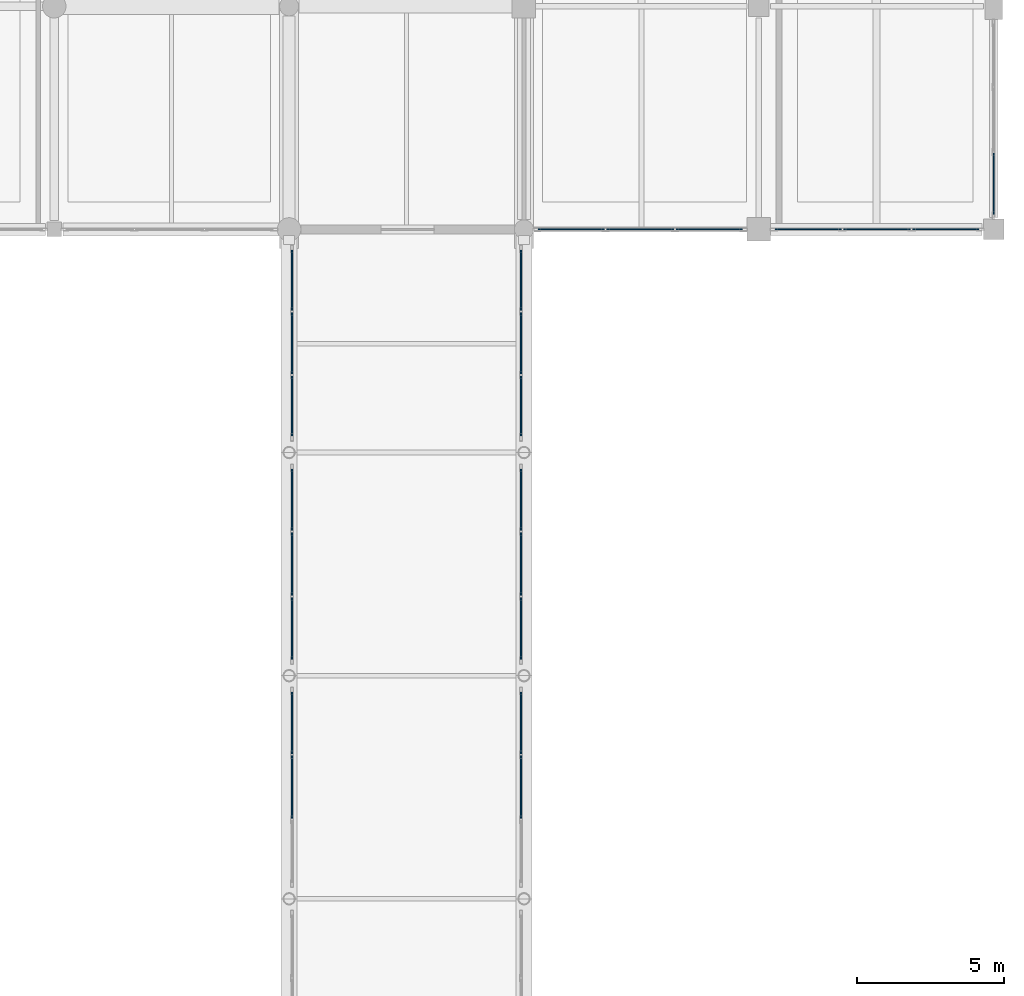
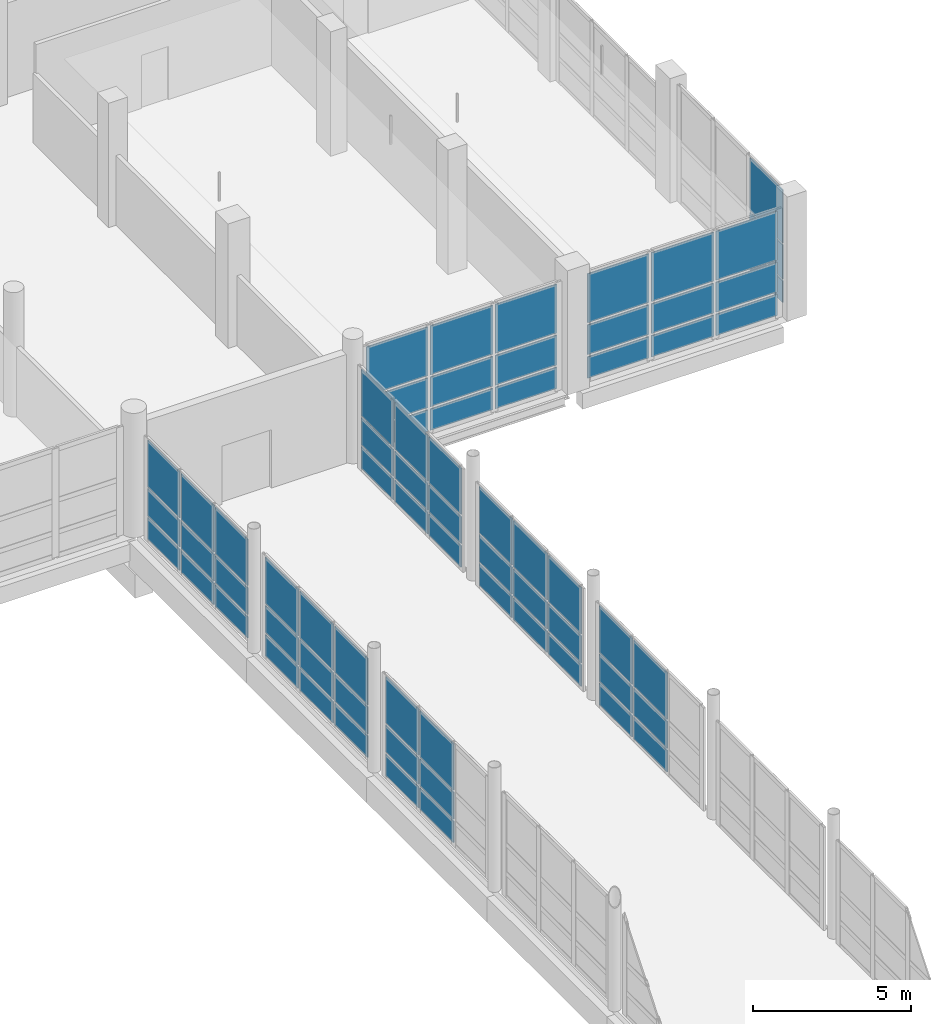
# One storey, part 77 of 147: 69 plates, 9 elements without a shape of their own.
"""IFC4 building model written with IfcOpenShell, lengths in metres."""

from ifc_helpers import new_model, si_unit, direction, frame, origin, origin_2d, place, context, subcontext, project, spatial, rectangle, extrude, material, layer, layer_set, type_object, element, aggregate, save


model = new_model("IFC4")

# Units and contexts
model_context = context("Model", 3, precision=1e-05, world=origin(), true_north=direction((0.0, 1.0)))
body_context = subcontext(model_context, "Body", "Model", "MODEL_VIEW")
ifc_project = project(units=[si_unit("LENGTHUNIT", "METRE"), si_unit("AREAUNIT", "SQUARE_METRE"), si_unit("VOLUMEUNIT", "CUBIC_METRE"), si_unit("PLANEANGLEUNIT", "RADIAN"), si_unit("MASSUNIT", "GRAM", prefix="KILO")], contexts=[model_context])

# Site, building, storey
site_placement = place(None, origin())
site = spatial("IfcSite", under=ifc_project, at=site_placement, CompositionType="ELEMENT")
building_placement = place(site_placement, origin())
building = spatial("IfcBuilding", under=site, at=building_placement, Name="Khelvaren Railside Concert Hall", CompositionType="ELEMENT")
storey_placement = place(building_placement, frame((0.0, 0.0, 5.39990234375)))
storey = spatial("IfcBuildingStorey", under=building, at=storey_placement, Name="L01", CompositionType="ELEMENT", Elevation=5.39990234375)

# Curtain wall, plates
ifc_material = material(Name="Acoustic laminated crystal facade glass", Category="glass")
curtain_wall_type_1 = type_object("IfcCurtainWallType", Name="CW15", PredefinedType="USERDEFINED", material=ifc_material)
curtain_wall_1_placement = place(storey_placement, origin())
curtain_wall_1 = element("IfcCurtainWall", 1, at=curtain_wall_1_placement, inside=storey, type_object=curtain_wall_type_1, Name="Unitised Curtain Wall CW-V5-L01-S-168", ObjectType="UNITISED CURTAIN WALL", PredefinedType="USERDEFINED")
ifc_layer = layer(ifc_material, 0.0400390625)
ifc_layer_set = layer_set([ifc_layer], Name="Acoustic laminated crystal facade glass")
plate_type = type_object("IfcPlateType", Name="CWP77", PredefinedType="CURTAIN_PANEL", material=ifc_layer_set)
plate_1_placement = place(storey_placement, frame((174.314697265625, 83.60009765625, 0.0849609375), z_axis=(0.0, 0.0, 1.0), x_axis=(-1.0, 0.0, 0.0)))
plate_1 = element("IfcPlate", 2, at=plate_1_placement, type_object=plate_type, Name="CW15 panel 1.1", PredefinedType="CURTAIN_PANEL", context=body_context, shape_type="SweptSolid", body=[
    extrude(rectangle(XDim=2.245849609375, YDim=0.0400390625, at=origin_2d()), origin(), (0.0, 0.0, 1.0), 0.822509765625),
])
plate_2_placement = place(storey_placement, frame((174.314697265625, 83.60009765625, 0.99267578125), z_axis=(0.0, 0.0, 1.0), x_axis=(-1.0, 0.0, 0.0)))
plate_2 = element("IfcPlate", 3, at=plate_2_placement, type_object=plate_type, Name="CW15 panel 1.2", PredefinedType="CURTAIN_PANEL", context=body_context, shape_type="SweptSolid", body=[
    extrude(rectangle(XDim=2.245849609375, YDim=0.0400390625, at=origin_2d()), origin(), (0.0, 0.0, 1.0), 1.14892578125),
])
plate_3_placement = place(storey_placement, frame((174.314697265625, 83.60009765625, 2.2265625), z_axis=(0.0, 0.0, 1.0), x_axis=(-1.0, 0.0, 0.0)))
plate_3 = element("IfcPlate", 4, at=plate_3_placement, type_object=plate_type, Name="CW15 panel 1.3", PredefinedType="CURTAIN_PANEL", context=body_context, shape_type="SweptSolid", body=[
    extrude(rectangle(XDim=2.245849609375, YDim=0.0400390625, at=origin_2d()), origin(), (0.0, 0.0, 1.0), 1.888427734375),
])
plate_4_placement = place(storey_placement, frame((171.96240234375, 83.60009765625, 0.0849609375), z_axis=(0.0, 0.0, 1.0), x_axis=(-1.0, 0.0, 0.0)))
plate_4 = element("IfcPlate", 5, at=plate_4_placement, type_object=plate_type, Name="CW15 panel 2.1", PredefinedType="CURTAIN_PANEL", context=body_context, shape_type="SweptSolid", body=[
    extrude(rectangle(XDim=2.288330078125, YDim=0.0400390625, at=origin_2d()), origin(), (0.0, 0.0, 1.0), 0.822509765625),
])
plate_5_placement = place(storey_placement, frame((171.96240234375, 83.60009765625, 0.99267578125), z_axis=(0.0, 0.0, 1.0), x_axis=(-1.0, 0.0, 0.0)))
plate_5 = element("IfcPlate", 6, at=plate_5_placement, type_object=plate_type, Name="CW15 panel 2.2", PredefinedType="CURTAIN_PANEL", context=body_context, shape_type="SweptSolid", body=[
    extrude(rectangle(XDim=2.288330078125, YDim=0.0400390625, at=origin_2d()), origin(), (0.0, 0.0, 1.0), 1.14892578125),
])
plate_6_placement = place(storey_placement, frame((171.96240234375, 83.60009765625, 2.2265625), z_axis=(0.0, 0.0, 1.0), x_axis=(-1.0, 0.0, 0.0)))
plate_6 = element("IfcPlate", 7, at=plate_6_placement, type_object=plate_type, Name="CW15 panel 2.3", PredefinedType="CURTAIN_PANEL", context=body_context, shape_type="SweptSolid", body=[
    extrude(rectangle(XDim=2.288330078125, YDim=0.0400390625, at=origin_2d()), origin(), (0.0, 0.0, 1.0), 1.888427734375),
])
plate_7_placement = place(storey_placement, frame((169.6103515625, 83.60009765625, 0.0849609375), z_axis=(0.0, 0.0, 1.0), x_axis=(-1.0, 0.0, 0.0)))
plate_7 = element("IfcPlate", 8, at=plate_7_placement, type_object=plate_type, Name="CW15 panel 3.1", PredefinedType="CURTAIN_PANEL", context=body_context, shape_type="SweptSolid", body=[
    extrude(rectangle(XDim=2.245849609375, YDim=0.0400390625, at=origin_2d()), origin(), (0.0, 0.0, 1.0), 0.822509765625),
])
plate_8_placement = place(storey_placement, frame((169.6103515625, 83.60009765625, 0.99267578125), z_axis=(0.0, 0.0, 1.0), x_axis=(-1.0, 0.0, 0.0)))
plate_8 = element("IfcPlate", 9, at=plate_8_placement, type_object=plate_type, Name="CW15 panel 3.2", PredefinedType="CURTAIN_PANEL", context=body_context, shape_type="SweptSolid", body=[
    extrude(rectangle(XDim=2.245849609375, YDim=0.0400390625, at=origin_2d()), origin(), (0.0, 0.0, 1.0), 1.14892578125),
])
plate_9_placement = place(storey_placement, frame((169.6103515625, 83.60009765625, 2.2265625), z_axis=(0.0, 0.0, 1.0), x_axis=(-1.0, 0.0, 0.0)))
plate_9 = element("IfcPlate", 10, at=plate_9_placement, type_object=plate_type, Name="CW15 panel 3.3", PredefinedType="CURTAIN_PANEL", context=body_context, shape_type="SweptSolid", body=[
    extrude(rectangle(XDim=2.245849609375, YDim=0.0400390625, at=origin_2d()), origin(), (0.0, 0.0, 1.0), 1.888427734375),
])
aggregate(curtain_wall_1, [plate_1, plate_2, plate_3, plate_4, plate_5, plate_6, plate_7, plate_8, plate_9])

curtain_wall_type_2 = type_object("IfcCurtainWallType", Name="CW54", PredefinedType="USERDEFINED", material=ifc_material)
curtain_wall_2_placement = place(storey_placement, origin())
curtain_wall_2 = element("IfcCurtainWall", 11, at=curtain_wall_2_placement, inside=storey, type_object=curtain_wall_type_2, Name="Unitised Curtain Wall CW-V5-L01-S-176", ObjectType="UNITISED CURTAIN WALL", PredefinedType="USERDEFINED")
plate_10_placement = place(storey_placement, frame((182.36865234375, 83.60009765625, 0.0849609375), z_axis=(0.0, 0.0, 1.0), x_axis=(-1.0, 0.0, 0.0)))
plate_10 = element("IfcPlate", 12, at=plate_10_placement, type_object=plate_type, Name="CW54 panel 1.1", PredefinedType="CURTAIN_PANEL", context=body_context, shape_type="SweptSolid", body=[
    extrude(rectangle(XDim=2.237548828125, YDim=0.0400390625, at=origin_2d()), origin(), (0.0, 0.0, 1.0), 0.822509765625),
])
plate_11_placement = place(storey_placement, frame((182.36865234375, 83.60009765625, 0.99267578125), z_axis=(0.0, 0.0, 1.0), x_axis=(-1.0, 0.0, 0.0)))
plate_11 = element("IfcPlate", 13, at=plate_11_placement, type_object=plate_type, Name="CW54 panel 1.2", PredefinedType="CURTAIN_PANEL", context=body_context, shape_type="SweptSolid", body=[
    extrude(rectangle(XDim=2.237548828125, YDim=0.0400390625, at=origin_2d()), origin(), (0.0, 0.0, 1.0), 1.14892578125),
])
plate_12_placement = place(storey_placement, frame((182.36865234375, 83.60009765625, 2.2265625), z_axis=(0.0, 0.0, 1.0), x_axis=(-1.0, 0.0, 0.0)))
plate_12 = element("IfcPlate", 14, at=plate_12_placement, type_object=plate_type, Name="CW54 panel 1.3", PredefinedType="CURTAIN_PANEL", context=body_context, shape_type="SweptSolid", body=[
    extrude(rectangle(XDim=2.237548828125, YDim=0.0400390625, at=origin_2d()), origin(), (0.0, 0.0, 1.0), 1.888427734375),
])
plate_13_placement = place(storey_placement, frame((180.02490234375, 83.60009765625, 0.0849609375), z_axis=(0.0, 0.0, 1.0), x_axis=(-1.0, 0.0, 0.0)))
plate_13 = element("IfcPlate", 15, at=plate_13_placement, type_object=plate_type, Name="CW54 panel 2.1", PredefinedType="CURTAIN_PANEL", context=body_context, shape_type="SweptSolid", body=[
    extrude(rectangle(XDim=2.280029296875, YDim=0.0400390625, at=origin_2d()), origin(), (0.0, 0.0, 1.0), 0.822509765625),
])
plate_14_placement = place(storey_placement, frame((180.02490234375, 83.60009765625, 0.99267578125), z_axis=(0.0, 0.0, 1.0), x_axis=(-1.0, 0.0, 0.0)))
plate_14 = element("IfcPlate", 16, at=plate_14_placement, type_object=plate_type, Name="CW54 panel 2.2", PredefinedType="CURTAIN_PANEL", context=body_context, shape_type="SweptSolid", body=[
    extrude(rectangle(XDim=2.280029296875, YDim=0.0400390625, at=origin_2d()), origin(), (0.0, 0.0, 1.0), 1.14892578125),
])
plate_15_placement = place(storey_placement, frame((180.02490234375, 83.60009765625, 2.2265625), z_axis=(0.0, 0.0, 1.0), x_axis=(-1.0, 0.0, 0.0)))
plate_15 = element("IfcPlate", 17, at=plate_15_placement, type_object=plate_type, Name="CW54 panel 2.3", PredefinedType="CURTAIN_PANEL", context=body_context, shape_type="SweptSolid", body=[
    extrude(rectangle(XDim=2.280029296875, YDim=0.0400390625, at=origin_2d()), origin(), (0.0, 0.0, 1.0), 1.888427734375),
])
plate_16_placement = place(storey_placement, frame((177.68115234375, 83.60009765625, 0.0849609375), z_axis=(0.0, 0.0, 1.0), x_axis=(-1.0, 0.0, 0.0)))
plate_16 = element("IfcPlate", 18, at=plate_16_placement, type_object=plate_type, Name="CW54 panel 3.1", PredefinedType="CURTAIN_PANEL", context=body_context, shape_type="SweptSolid", body=[
    extrude(rectangle(XDim=2.237548828125, YDim=0.0400390625, at=origin_2d()), origin(), (0.0, 0.0, 1.0), 0.822509765625),
])
plate_17_placement = place(storey_placement, frame((177.68115234375, 83.60009765625, 0.99267578125), z_axis=(0.0, 0.0, 1.0), x_axis=(-1.0, 0.0, 0.0)))
plate_17 = element("IfcPlate", 19, at=plate_17_placement, type_object=plate_type, Name="CW54 panel 3.2", PredefinedType="CURTAIN_PANEL", context=body_context, shape_type="SweptSolid", body=[
    extrude(rectangle(XDim=2.237548828125, YDim=0.0400390625, at=origin_2d()), origin(), (0.0, 0.0, 1.0), 1.14892578125),
])
plate_18_placement = place(storey_placement, frame((177.68115234375, 83.60009765625, 2.2265625), z_axis=(0.0, 0.0, 1.0), x_axis=(-1.0, 0.0, 0.0)))
plate_18 = element("IfcPlate", 20, at=plate_18_placement, type_object=plate_type, Name="CW54 panel 3.3", PredefinedType="CURTAIN_PANEL", context=body_context, shape_type="SweptSolid", body=[
    extrude(rectangle(XDim=2.237548828125, YDim=0.0400390625, at=origin_2d()), origin(), (0.0, 0.0, 1.0), 1.888427734375),
])
aggregate(curtain_wall_2, [plate_10, plate_11, plate_12, plate_13, plate_14, plate_15, plate_16, plate_17, plate_18])

curtain_wall_type_3 = type_object("IfcCurtainWallType", Name="CW66", PredefinedType="USERDEFINED", material=ifc_material)
curtain_wall_3_placement = place(storey_placement, origin())
curtain_wall_3 = element("IfcCurtainWall", 21, at=curtain_wall_3_placement, inside=storey, type_object=curtain_wall_type_3, Name="Unitised Curtain Wall CW-V5-L01-E-84", ObjectType="UNITISED CURTAIN WALL", PredefinedType="USERDEFINED")
plate_19_placement = place(storey_placement, frame((184.0, 85.15625, 0.0849609375), z_axis=(0.0, 0.0, 1.0), x_axis=(0.0, -1.0, 0.0)))
plate_19 = element("IfcPlate", 22, at=plate_19_placement, type_object=plate_type, Name="CW66 panel 3.1", PredefinedType="CURTAIN_PANEL", context=body_context, shape_type="SweptSolid", body=[
    extrude(rectangle(XDim=2.08740234375, YDim=0.0400390625, at=origin_2d()), origin(), (0.0, 0.0, 1.0), 0.822509765625),
])
plate_20_placement = place(storey_placement, frame((184.0, 85.15625, 0.99267578125), z_axis=(0.0, 0.0, 1.0), x_axis=(0.0, -1.0, 0.0)))
plate_20 = element("IfcPlate", 23, at=plate_20_placement, type_object=plate_type, Name="CW66 panel 3.2", PredefinedType="CURTAIN_PANEL", context=body_context, shape_type="SweptSolid", body=[
    extrude(rectangle(XDim=2.08740234375, YDim=0.0400390625, at=origin_2d()), origin(), (0.0, 0.0, 1.0), 1.310302734375),
])
plate_21_placement = place(storey_placement, frame((184.0, 85.15625, 2.3876953125), z_axis=(0.0, 0.0, 1.0), x_axis=(0.0, -1.0, 0.0)))
plate_21 = element("IfcPlate", 24, at=plate_21_placement, type_object=plate_type, Name="CW66 panel 3.3", PredefinedType="CURTAIN_PANEL", context=body_context, shape_type="SweptSolid", body=[
    extrude(rectangle(XDim=2.08740234375, YDim=0.0400390625, at=origin_2d()), origin(), (0.0, 0.0, 1.0), 2.037353515625),
])
aggregate(curtain_wall_3, [plate_19, plate_20, plate_21])

curtain_wall_type_4 = type_object("IfcCurtainWallType", Name="CW78", PredefinedType="USERDEFINED", material=ifc_material)
curtain_wall_4_placement = place(storey_placement, origin())
curtain_wall_4 = element("IfcCurtainWall", 25, at=curtain_wall_4_placement, inside=storey, type_object=curtain_wall_type_4, Name="Unitised Curtain Wall CW-LB4-L01-W4", ObjectType="UNITISED CURTAIN WALL", PredefinedType="USERDEFINED")
plate_22_placement = place(storey_placement, frame((160.10009765625, 64.60009765625, 0.0849609375), z_axis=(0.0, 0.0, 1.0), x_axis=(0.0, 1.0, 0.0)))
plate_22 = element("IfcPlate", 26, at=plate_22_placement, type_object=plate_type, Name="CW78 panel 2.1", PredefinedType="CURTAIN_PANEL", context=body_context, shape_type="SweptSolid", body=[
    extrude(rectangle(XDim=2.12841796875, YDim=0.0400390625, at=origin_2d()), origin(), (0.0, 0.0, 1.0), 0.822509765625),
])
plate_23_placement = place(storey_placement, frame((160.10009765625, 64.60009765625, 0.99267578125), z_axis=(0.0, 0.0, 1.0), x_axis=(0.0, 1.0, 0.0)))
plate_23 = element("IfcPlate", 27, at=plate_23_placement, type_object=plate_type, Name="CW78 panel 2.2", PredefinedType="CURTAIN_PANEL", context=body_context, shape_type="SweptSolid", body=[
    extrude(rectangle(XDim=2.12841796875, YDim=0.0400390625, at=origin_2d()), origin(), (0.0, 0.0, 1.0), 1.03466796875),
])
plate_24_placement = place(storey_placement, frame((160.10009765625, 64.60009765625, 2.1123046875), z_axis=(0.0, 0.0, 1.0), x_axis=(0.0, 1.0, 0.0)))
plate_24 = element("IfcPlate", 28, at=plate_24_placement, type_object=plate_type, Name="CW78 panel 2.3", PredefinedType="CURTAIN_PANEL", context=body_context, shape_type="SweptSolid", body=[
    extrude(rectangle(XDim=2.12841796875, YDim=0.0400390625, at=origin_2d()), origin(), (0.0, 0.0, 1.0), 1.782958984375),
])
plate_25_placement = place(storey_placement, frame((160.10009765625, 66.7919921875, 0.0849609375), z_axis=(0.0, 0.0, 1.0), x_axis=(0.0, 1.0, 0.0)))
plate_25 = element("IfcPlate", 29, at=plate_25_placement, type_object=plate_type, Name="CW78 panel 3.1", PredefinedType="CURTAIN_PANEL", context=body_context, shape_type="SweptSolid", body=[
    extrude(rectangle(XDim=2.0859375, YDim=0.0400390625, at=origin_2d()), origin(), (0.0, 0.0, 1.0), 0.822509765625),
])
plate_26_placement = place(storey_placement, frame((160.10009765625, 66.7919921875, 0.99267578125), z_axis=(0.0, 0.0, 1.0), x_axis=(0.0, 1.0, 0.0)))
plate_26 = element("IfcPlate", 30, at=plate_26_placement, type_object=plate_type, Name="CW78 panel 3.2", PredefinedType="CURTAIN_PANEL", context=body_context, shape_type="SweptSolid", body=[
    extrude(rectangle(XDim=2.0859375, YDim=0.0400390625, at=origin_2d()), origin(), (0.0, 0.0, 1.0), 1.03466796875),
])
plate_27_placement = place(storey_placement, frame((160.10009765625, 66.7919921875, 2.1123046875), z_axis=(0.0, 0.0, 1.0), x_axis=(0.0, 1.0, 0.0)))
plate_27 = element("IfcPlate", 31, at=plate_27_placement, type_object=plate_type, Name="CW78 panel 3.3", PredefinedType="CURTAIN_PANEL", context=body_context, shape_type="SweptSolid", body=[
    extrude(rectangle(XDim=2.0859375, YDim=0.0400390625, at=origin_2d()), origin(), (0.0, 0.0, 1.0), 1.782958984375),
])
aggregate(curtain_wall_4, [plate_22, plate_23, plate_24, plate_25, plate_26, plate_27])

curtain_wall_5_placement = place(storey_placement, origin())
curtain_wall_5 = element("IfcCurtainWall", 32, at=curtain_wall_5_placement, inside=storey, type_object=curtain_wall_type_4, Name="Unitised Curtain Wall CW-LB4-L01-E4", ObjectType="UNITISED CURTAIN WALL", PredefinedType="USERDEFINED")
plate_28_placement = place(storey_placement, frame((167.89990234375, 66.7919921875, 0.0849609375), z_axis=(0.0, 0.0, 1.0), x_axis=(0.0, -1.0, 0.0)))
plate_28 = element("IfcPlate", 33, at=plate_28_placement, type_object=plate_type, Name="CW78 panel 1.1", PredefinedType="CURTAIN_PANEL", context=body_context, shape_type="SweptSolid", body=[
    extrude(rectangle(XDim=2.0859375, YDim=0.0400390625, at=origin_2d()), origin(), (0.0, 0.0, 1.0), 0.822509765625),
])
plate_29_placement = place(storey_placement, frame((167.89990234375, 66.7919921875, 0.99267578125), z_axis=(0.0, 0.0, 1.0), x_axis=(0.0, -1.0, 0.0)))
plate_29 = element("IfcPlate", 34, at=plate_29_placement, type_object=plate_type, Name="CW78 panel 1.2", PredefinedType="CURTAIN_PANEL", context=body_context, shape_type="SweptSolid", body=[
    extrude(rectangle(XDim=2.0859375, YDim=0.0400390625, at=origin_2d()), origin(), (0.0, 0.0, 1.0), 1.03466796875),
])
plate_30_placement = place(storey_placement, frame((167.89990234375, 66.7919921875, 2.1123046875), z_axis=(0.0, 0.0, 1.0), x_axis=(0.0, -1.0, 0.0)))
plate_30 = element("IfcPlate", 35, at=plate_30_placement, type_object=plate_type, Name="CW78 panel 1.3", PredefinedType="CURTAIN_PANEL", context=body_context, shape_type="SweptSolid", body=[
    extrude(rectangle(XDim=2.0859375, YDim=0.0400390625, at=origin_2d()), origin(), (0.0, 0.0, 1.0), 1.782958984375),
])
plate_31_placement = place(storey_placement, frame((167.89990234375, 64.60009765625, 0.0849609375), z_axis=(0.0, 0.0, 1.0), x_axis=(0.0, -1.0, 0.0)))
plate_31 = element("IfcPlate", 36, at=plate_31_placement, type_object=plate_type, Name="CW78 panel 2.1", PredefinedType="CURTAIN_PANEL", context=body_context, shape_type="SweptSolid", body=[
    extrude(rectangle(XDim=2.12841796875, YDim=0.0400390625, at=origin_2d()), origin(), (0.0, 0.0, 1.0), 0.822509765625),
])
plate_32_placement = place(storey_placement, frame((167.89990234375, 64.60009765625, 0.99267578125), z_axis=(0.0, 0.0, 1.0), x_axis=(0.0, -1.0, 0.0)))
plate_32 = element("IfcPlate", 37, at=plate_32_placement, type_object=plate_type, Name="CW78 panel 2.2", PredefinedType="CURTAIN_PANEL", context=body_context, shape_type="SweptSolid", body=[
    extrude(rectangle(XDim=2.12841796875, YDim=0.0400390625, at=origin_2d()), origin(), (0.0, 0.0, 1.0), 1.03466796875),
])
plate_33_placement = place(storey_placement, frame((167.89990234375, 64.60009765625, 2.1123046875), z_axis=(0.0, 0.0, 1.0), x_axis=(0.0, -1.0, 0.0)))
plate_33 = element("IfcPlate", 38, at=plate_33_placement, type_object=plate_type, Name="CW78 panel 2.3", PredefinedType="CURTAIN_PANEL", context=body_context, shape_type="SweptSolid", body=[
    extrude(rectangle(XDim=2.12841796875, YDim=0.0400390625, at=origin_2d()), origin(), (0.0, 0.0, 1.0), 1.782958984375),
])
aggregate(curtain_wall_5, [plate_28, plate_29, plate_30, plate_31, plate_32, plate_33])

curtain_wall_6_placement = place(storey_placement, origin())
curtain_wall_6 = element("IfcCurtainWall", 39, at=curtain_wall_6_placement, inside=storey, type_object=curtain_wall_type_4, Name="Unitised Curtain Wall CW-LB4-L01-W5", ObjectType="UNITISED CURTAIN WALL", PredefinedType="USERDEFINED")
plate_34_placement = place(storey_placement, frame((160.10009765625, 70.0078125, 0.0849609375), z_axis=(0.0, 0.0, 1.0), x_axis=(0.0, 1.0, 0.0)))
plate_34 = element("IfcPlate", 40, at=plate_34_placement, type_object=plate_type, Name="CW78 panel 1.1", PredefinedType="CURTAIN_PANEL", context=body_context, shape_type="SweptSolid", body=[
    extrude(rectangle(XDim=2.0859375, YDim=0.0400390625, at=origin_2d()), origin(), (0.0, 0.0, 1.0), 0.822509765625),
])
plate_35_placement = place(storey_placement, frame((160.10009765625, 70.0078125, 0.99267578125), z_axis=(0.0, 0.0, 1.0), x_axis=(0.0, 1.0, 0.0)))
plate_35 = element("IfcPlate", 41, at=plate_35_placement, type_object=plate_type, Name="CW78 panel 1.2", PredefinedType="CURTAIN_PANEL", context=body_context, shape_type="SweptSolid", body=[
    extrude(rectangle(XDim=2.0859375, YDim=0.0400390625, at=origin_2d()), origin(), (0.0, 0.0, 1.0), 1.03466796875),
])
plate_36_placement = place(storey_placement, frame((160.10009765625, 70.0078125, 2.1123046875), z_axis=(0.0, 0.0, 1.0), x_axis=(0.0, 1.0, 0.0)))
plate_36 = element("IfcPlate", 42, at=plate_36_placement, type_object=plate_type, Name="CW78 panel 1.3", PredefinedType="CURTAIN_PANEL", context=body_context, shape_type="SweptSolid", body=[
    extrude(rectangle(XDim=2.0859375, YDim=0.0400390625, at=origin_2d()), origin(), (0.0, 0.0, 1.0), 1.782958984375),
])
plate_37_placement = place(storey_placement, frame((160.10009765625, 72.199951171875, 0.0849609375), z_axis=(0.0, 0.0, 1.0), x_axis=(0.0, 1.0, 0.0)))
plate_37 = element("IfcPlate", 43, at=plate_37_placement, type_object=plate_type, Name="CW78 panel 2.1", PredefinedType="CURTAIN_PANEL", context=body_context, shape_type="SweptSolid", body=[
    extrude(rectangle(XDim=2.12841796875, YDim=0.0400390625, at=origin_2d()), origin(), (0.0, 0.0, 1.0), 0.822509765625),
])
plate_38_placement = place(storey_placement, frame((160.10009765625, 72.199951171875, 0.99267578125), z_axis=(0.0, 0.0, 1.0), x_axis=(0.0, 1.0, 0.0)))
plate_38 = element("IfcPlate", 44, at=plate_38_placement, type_object=plate_type, Name="CW78 panel 2.2", PredefinedType="CURTAIN_PANEL", context=body_context, shape_type="SweptSolid", body=[
    extrude(rectangle(XDim=2.12841796875, YDim=0.0400390625, at=origin_2d()), origin(), (0.0, 0.0, 1.0), 1.03466796875),
])
plate_39_placement = place(storey_placement, frame((160.10009765625, 72.199951171875, 2.1123046875), z_axis=(0.0, 0.0, 1.0), x_axis=(0.0, 1.0, 0.0)))
plate_39 = element("IfcPlate", 45, at=plate_39_placement, type_object=plate_type, Name="CW78 panel 2.3", PredefinedType="CURTAIN_PANEL", context=body_context, shape_type="SweptSolid", body=[
    extrude(rectangle(XDim=2.12841796875, YDim=0.0400390625, at=origin_2d()), origin(), (0.0, 0.0, 1.0), 1.782958984375),
])
plate_40_placement = place(storey_placement, frame((160.10009765625, 74.39208984375, 0.0849609375), z_axis=(0.0, 0.0, 1.0), x_axis=(0.0, 1.0, 0.0)))
plate_40 = element("IfcPlate", 46, at=plate_40_placement, type_object=plate_type, Name="CW78 panel 3.1", PredefinedType="CURTAIN_PANEL", context=body_context, shape_type="SweptSolid", body=[
    extrude(rectangle(XDim=2.0859375, YDim=0.0400390625, at=origin_2d()), origin(), (0.0, 0.0, 1.0), 0.822509765625),
])
plate_41_placement = place(storey_placement, frame((160.10009765625, 74.39208984375, 0.99267578125), z_axis=(0.0, 0.0, 1.0), x_axis=(0.0, 1.0, 0.0)))
plate_41 = element("IfcPlate", 47, at=plate_41_placement, type_object=plate_type, Name="CW78 panel 3.2", PredefinedType="CURTAIN_PANEL", context=body_context, shape_type="SweptSolid", body=[
    extrude(rectangle(XDim=2.0859375, YDim=0.0400390625, at=origin_2d()), origin(), (0.0, 0.0, 1.0), 1.03466796875),
])
plate_42_placement = place(storey_placement, frame((160.10009765625, 74.39208984375, 2.1123046875), z_axis=(0.0, 0.0, 1.0), x_axis=(0.0, 1.0, 0.0)))
plate_42 = element("IfcPlate", 48, at=plate_42_placement, type_object=plate_type, Name="CW78 panel 3.3", PredefinedType="CURTAIN_PANEL", context=body_context, shape_type="SweptSolid", body=[
    extrude(rectangle(XDim=2.0859375, YDim=0.0400390625, at=origin_2d()), origin(), (0.0, 0.0, 1.0), 1.782958984375),
])
aggregate(curtain_wall_6, [plate_34, plate_35, plate_36, plate_37, plate_38, plate_39, plate_40, plate_41, plate_42])

curtain_wall_7_placement = place(storey_placement, origin())
curtain_wall_7 = element("IfcCurtainWall", 49, at=curtain_wall_7_placement, inside=storey, type_object=curtain_wall_type_4, Name="Unitised Curtain Wall CW-LB4-L01-E5", ObjectType="UNITISED CURTAIN WALL", PredefinedType="USERDEFINED")
plate_43_placement = place(storey_placement, frame((167.89990234375, 74.39208984375, 0.0849609375), z_axis=(0.0, 0.0, 1.0), x_axis=(0.0, -1.0, 0.0)))
plate_43 = element("IfcPlate", 50, at=plate_43_placement, type_object=plate_type, Name="CW78 panel 1.1", PredefinedType="CURTAIN_PANEL", context=body_context, shape_type="SweptSolid", body=[
    extrude(rectangle(XDim=2.0859375, YDim=0.0400390625, at=origin_2d()), origin(), (0.0, 0.0, 1.0), 0.822509765625),
])
plate_44_placement = place(storey_placement, frame((167.89990234375, 74.39208984375, 0.99267578125), z_axis=(0.0, 0.0, 1.0), x_axis=(0.0, -1.0, 0.0)))
plate_44 = element("IfcPlate", 51, at=plate_44_placement, type_object=plate_type, Name="CW78 panel 1.2", PredefinedType="CURTAIN_PANEL", context=body_context, shape_type="SweptSolid", body=[
    extrude(rectangle(XDim=2.0859375, YDim=0.0400390625, at=origin_2d()), origin(), (0.0, 0.0, 1.0), 1.03466796875),
])
plate_45_placement = place(storey_placement, frame((167.89990234375, 74.39208984375, 2.1123046875), z_axis=(0.0, 0.0, 1.0), x_axis=(0.0, -1.0, 0.0)))
plate_45 = element("IfcPlate", 52, at=plate_45_placement, type_object=plate_type, Name="CW78 panel 1.3", PredefinedType="CURTAIN_PANEL", context=body_context, shape_type="SweptSolid", body=[
    extrude(rectangle(XDim=2.0859375, YDim=0.0400390625, at=origin_2d()), origin(), (0.0, 0.0, 1.0), 1.782958984375),
])
plate_46_placement = place(storey_placement, frame((167.89990234375, 72.199951171875, 0.0849609375), z_axis=(0.0, 0.0, 1.0), x_axis=(0.0, -1.0, 0.0)))
plate_46 = element("IfcPlate", 53, at=plate_46_placement, type_object=plate_type, Name="CW78 panel 2.1", PredefinedType="CURTAIN_PANEL", context=body_context, shape_type="SweptSolid", body=[
    extrude(rectangle(XDim=2.12841796875, YDim=0.0400390625, at=origin_2d()), origin(), (0.0, 0.0, 1.0), 0.822509765625),
])
plate_47_placement = place(storey_placement, frame((167.89990234375, 72.199951171875, 0.99267578125), z_axis=(0.0, 0.0, 1.0), x_axis=(0.0, -1.0, 0.0)))
plate_47 = element("IfcPlate", 54, at=plate_47_placement, type_object=plate_type, Name="CW78 panel 2.2", PredefinedType="CURTAIN_PANEL", context=body_context, shape_type="SweptSolid", body=[
    extrude(rectangle(XDim=2.12841796875, YDim=0.0400390625, at=origin_2d()), origin(), (0.0, 0.0, 1.0), 1.03466796875),
])
plate_48_placement = place(storey_placement, frame((167.89990234375, 72.199951171875, 2.1123046875), z_axis=(0.0, 0.0, 1.0), x_axis=(0.0, -1.0, 0.0)))
plate_48 = element("IfcPlate", 55, at=plate_48_placement, type_object=plate_type, Name="CW78 panel 2.3", PredefinedType="CURTAIN_PANEL", context=body_context, shape_type="SweptSolid", body=[
    extrude(rectangle(XDim=2.12841796875, YDim=0.0400390625, at=origin_2d()), origin(), (0.0, 0.0, 1.0), 1.782958984375),
])
plate_49_placement = place(storey_placement, frame((167.89990234375, 70.0078125, 0.0849609375), z_axis=(0.0, 0.0, 1.0), x_axis=(0.0, -1.0, 0.0)))
plate_49 = element("IfcPlate", 56, at=plate_49_placement, type_object=plate_type, Name="CW78 panel 3.1", PredefinedType="CURTAIN_PANEL", context=body_context, shape_type="SweptSolid", body=[
    extrude(rectangle(XDim=2.0859375, YDim=0.0400390625, at=origin_2d()), origin(), (0.0, 0.0, 1.0), 0.822509765625),
])
plate_50_placement = place(storey_placement, frame((167.89990234375, 70.0078125, 0.99267578125), z_axis=(0.0, 0.0, 1.0), x_axis=(0.0, -1.0, 0.0)))
plate_50 = element("IfcPlate", 57, at=plate_50_placement, type_object=plate_type, Name="CW78 panel 3.2", PredefinedType="CURTAIN_PANEL", context=body_context, shape_type="SweptSolid", body=[
    extrude(rectangle(XDim=2.0859375, YDim=0.0400390625, at=origin_2d()), origin(), (0.0, 0.0, 1.0), 1.03466796875),
])
plate_51_placement = place(storey_placement, frame((167.89990234375, 70.0078125, 2.1123046875), z_axis=(0.0, 0.0, 1.0), x_axis=(0.0, -1.0, 0.0)))
plate_51 = element("IfcPlate", 58, at=plate_51_placement, type_object=plate_type, Name="CW78 panel 3.3", PredefinedType="CURTAIN_PANEL", context=body_context, shape_type="SweptSolid", body=[
    extrude(rectangle(XDim=2.0859375, YDim=0.0400390625, at=origin_2d()), origin(), (0.0, 0.0, 1.0), 1.782958984375),
])
aggregate(curtain_wall_7, [plate_43, plate_44, plate_45, plate_46, plate_47, plate_48, plate_49, plate_50, plate_51])

curtain_wall_8_placement = place(storey_placement, origin())
curtain_wall_8 = element("IfcCurtainWall", 59, at=curtain_wall_8_placement, inside=storey, type_object=curtain_wall_type_4, Name="Unitised Curtain Wall CW-LB4-L01-W6", ObjectType="UNITISED CURTAIN WALL", PredefinedType="USERDEFINED")
plate_52_placement = place(storey_placement, frame((160.10009765625, 77.5830078125, 0.0849609375), z_axis=(0.0, 0.0, 1.0), x_axis=(0.0, 1.0, 0.0)))
plate_52 = element("IfcPlate", 60, at=plate_52_placement, type_object=plate_type, Name="CW78 panel 1.1", PredefinedType="CURTAIN_PANEL", context=body_context, shape_type="SweptSolid", body=[
    extrude(rectangle(XDim=2.035888671875, YDim=0.0400390625, at=origin_2d()), origin(), (0.0, 0.0, 1.0), 0.822509765625),
])
plate_53_placement = place(storey_placement, frame((160.10009765625, 77.5830078125, 0.99267578125), z_axis=(0.0, 0.0, 1.0), x_axis=(0.0, 1.0, 0.0)))
plate_53 = element("IfcPlate", 61, at=plate_53_placement, type_object=plate_type, Name="CW78 panel 1.2", PredefinedType="CURTAIN_PANEL", context=body_context, shape_type="SweptSolid", body=[
    extrude(rectangle(XDim=2.035888671875, YDim=0.0400390625, at=origin_2d()), origin(), (0.0, 0.0, 1.0), 1.03466796875),
])
plate_54_placement = place(storey_placement, frame((160.10009765625, 77.5830078125, 2.1123046875), z_axis=(0.0, 0.0, 1.0), x_axis=(0.0, 1.0, 0.0)))
plate_54 = element("IfcPlate", 62, at=plate_54_placement, type_object=plate_type, Name="CW78 panel 1.3", PredefinedType="CURTAIN_PANEL", context=body_context, shape_type="SweptSolid", body=[
    extrude(rectangle(XDim=2.035888671875, YDim=0.0400390625, at=origin_2d()), origin(), (0.0, 0.0, 1.0), 1.782958984375),
])
plate_55_placement = place(storey_placement, frame((160.10009765625, 79.72509765625, 0.0849609375), z_axis=(0.0, 0.0, 1.0), x_axis=(0.0, 1.0, 0.0)))
plate_55 = element("IfcPlate", 63, at=plate_55_placement, type_object=plate_type, Name="CW78 panel 2.1", PredefinedType="CURTAIN_PANEL", context=body_context, shape_type="SweptSolid", body=[
    extrude(rectangle(XDim=2.078369140625, YDim=0.0400390625, at=origin_2d()), origin(), (0.0, 0.0, 1.0), 0.822509765625),
])
plate_56_placement = place(storey_placement, frame((160.10009765625, 79.72509765625, 0.99267578125), z_axis=(0.0, 0.0, 1.0), x_axis=(0.0, 1.0, 0.0)))
plate_56 = element("IfcPlate", 64, at=plate_56_placement, type_object=plate_type, Name="CW78 panel 2.2", PredefinedType="CURTAIN_PANEL", context=body_context, shape_type="SweptSolid", body=[
    extrude(rectangle(XDim=2.078369140625, YDim=0.0400390625, at=origin_2d()), origin(), (0.0, 0.0, 1.0), 1.03466796875),
])
plate_57_placement = place(storey_placement, frame((160.10009765625, 79.72509765625, 2.1123046875), z_axis=(0.0, 0.0, 1.0), x_axis=(0.0, 1.0, 0.0)))
plate_57 = element("IfcPlate", 65, at=plate_57_placement, type_object=plate_type, Name="CW78 panel 2.3", PredefinedType="CURTAIN_PANEL", context=body_context, shape_type="SweptSolid", body=[
    extrude(rectangle(XDim=2.078369140625, YDim=0.0400390625, at=origin_2d()), origin(), (0.0, 0.0, 1.0), 1.782958984375),
])
plate_58_placement = place(storey_placement, frame((160.10009765625, 81.8671875, 0.0849609375), z_axis=(0.0, 0.0, 1.0), x_axis=(0.0, 1.0, 0.0)))
plate_58 = element("IfcPlate", 66, at=plate_58_placement, type_object=plate_type, Name="CW78 panel 3.1", PredefinedType="CURTAIN_PANEL", context=body_context, shape_type="SweptSolid", body=[
    extrude(rectangle(XDim=2.035888671875, YDim=0.0400390625, at=origin_2d()), origin(), (0.0, 0.0, 1.0), 0.822509765625),
])
plate_59_placement = place(storey_placement, frame((160.10009765625, 81.8671875, 0.99267578125), z_axis=(0.0, 0.0, 1.0), x_axis=(0.0, 1.0, 0.0)))
plate_59 = element("IfcPlate", 67, at=plate_59_placement, type_object=plate_type, Name="CW78 panel 3.2", PredefinedType="CURTAIN_PANEL", context=body_context, shape_type="SweptSolid", body=[
    extrude(rectangle(XDim=2.035888671875, YDim=0.0400390625, at=origin_2d()), origin(), (0.0, 0.0, 1.0), 1.03466796875),
])
plate_60_placement = place(storey_placement, frame((160.10009765625, 81.8671875, 2.1123046875), z_axis=(0.0, 0.0, 1.0), x_axis=(0.0, 1.0, 0.0)))
plate_60 = element("IfcPlate", 68, at=plate_60_placement, type_object=plate_type, Name="CW78 panel 3.3", PredefinedType="CURTAIN_PANEL", context=body_context, shape_type="SweptSolid", body=[
    extrude(rectangle(XDim=2.035888671875, YDim=0.0400390625, at=origin_2d()), origin(), (0.0, 0.0, 1.0), 1.782958984375),
])
aggregate(curtain_wall_8, [plate_52, plate_53, plate_54, plate_55, plate_56, plate_57, plate_58, plate_59, plate_60])

curtain_wall_9_placement = place(storey_placement, origin())
curtain_wall_9 = element("IfcCurtainWall", 69, at=curtain_wall_9_placement, inside=storey, type_object=curtain_wall_type_4, Name="Unitised Curtain Wall CW-LB4-L01-E6", ObjectType="UNITISED CURTAIN WALL", PredefinedType="USERDEFINED")
plate_61_placement = place(storey_placement, frame((167.89990234375, 81.8671875, 0.0849609375), z_axis=(0.0, 0.0, 1.0), x_axis=(0.0, -1.0, 0.0)))
plate_61 = element("IfcPlate", 70, at=plate_61_placement, type_object=plate_type, Name="CW78 panel 1.1", PredefinedType="CURTAIN_PANEL", context=body_context, shape_type="SweptSolid", body=[
    extrude(rectangle(XDim=2.035888671875, YDim=0.0400390625, at=origin_2d()), origin(), (0.0, 0.0, 1.0), 0.822509765625),
])
plate_62_placement = place(storey_placement, frame((167.89990234375, 81.8671875, 0.99267578125), z_axis=(0.0, 0.0, 1.0), x_axis=(0.0, -1.0, 0.0)))
plate_62 = element("IfcPlate", 71, at=plate_62_placement, type_object=plate_type, Name="CW78 panel 1.2", PredefinedType="CURTAIN_PANEL", context=body_context, shape_type="SweptSolid", body=[
    extrude(rectangle(XDim=2.035888671875, YDim=0.0400390625, at=origin_2d()), origin(), (0.0, 0.0, 1.0), 1.03466796875),
])
plate_63_placement = place(storey_placement, frame((167.89990234375, 81.8671875, 2.1123046875), z_axis=(0.0, 0.0, 1.0), x_axis=(0.0, -1.0, 0.0)))
plate_63 = element("IfcPlate", 72, at=plate_63_placement, type_object=plate_type, Name="CW78 panel 1.3", PredefinedType="CURTAIN_PANEL", context=body_context, shape_type="SweptSolid", body=[
    extrude(rectangle(XDim=2.035888671875, YDim=0.0400390625, at=origin_2d()), origin(), (0.0, 0.0, 1.0), 1.782958984375),
])
plate_64_placement = place(storey_placement, frame((167.89990234375, 79.72509765625, 0.0849609375), z_axis=(0.0, 0.0, 1.0), x_axis=(0.0, -1.0, 0.0)))
plate_64 = element("IfcPlate", 73, at=plate_64_placement, type_object=plate_type, Name="CW78 panel 2.1", PredefinedType="CURTAIN_PANEL", context=body_context, shape_type="SweptSolid", body=[
    extrude(rectangle(XDim=2.078369140625, YDim=0.0400390625, at=origin_2d()), origin(), (0.0, 0.0, 1.0), 0.822509765625),
])
plate_65_placement = place(storey_placement, frame((167.89990234375, 79.72509765625, 0.99267578125), z_axis=(0.0, 0.0, 1.0), x_axis=(0.0, -1.0, 0.0)))
plate_65 = element("IfcPlate", 74, at=plate_65_placement, type_object=plate_type, Name="CW78 panel 2.2", PredefinedType="CURTAIN_PANEL", context=body_context, shape_type="SweptSolid", body=[
    extrude(rectangle(XDim=2.078369140625, YDim=0.0400390625, at=origin_2d()), origin(), (0.0, 0.0, 1.0), 1.03466796875),
])
plate_66_placement = place(storey_placement, frame((167.89990234375, 79.72509765625, 2.1123046875), z_axis=(0.0, 0.0, 1.0), x_axis=(0.0, -1.0, 0.0)))
plate_66 = element("IfcPlate", 75, at=plate_66_placement, type_object=plate_type, Name="CW78 panel 2.3", PredefinedType="CURTAIN_PANEL", context=body_context, shape_type="SweptSolid", body=[
    extrude(rectangle(XDim=2.078369140625, YDim=0.0400390625, at=origin_2d()), origin(), (0.0, 0.0, 1.0), 1.782958984375),
])
plate_67_placement = place(storey_placement, frame((167.89990234375, 77.5830078125, 0.0849609375), z_axis=(0.0, 0.0, 1.0), x_axis=(0.0, -1.0, 0.0)))
plate_67 = element("IfcPlate", 76, at=plate_67_placement, type_object=plate_type, Name="CW78 panel 3.1", PredefinedType="CURTAIN_PANEL", context=body_context, shape_type="SweptSolid", body=[
    extrude(rectangle(XDim=2.035888671875, YDim=0.0400390625, at=origin_2d()), origin(), (0.0, 0.0, 1.0), 0.822509765625),
])
plate_68_placement = place(storey_placement, frame((167.89990234375, 77.5830078125, 0.99267578125), z_axis=(0.0, 0.0, 1.0), x_axis=(0.0, -1.0, 0.0)))
plate_68 = element("IfcPlate", 77, at=plate_68_placement, type_object=plate_type, Name="CW78 panel 3.2", PredefinedType="CURTAIN_PANEL", context=body_context, shape_type="SweptSolid", body=[
    extrude(rectangle(XDim=2.035888671875, YDim=0.0400390625, at=origin_2d()), origin(), (0.0, 0.0, 1.0), 1.03466796875),
])
plate_69_placement = place(storey_placement, frame((167.89990234375, 77.5830078125, 2.1123046875), z_axis=(0.0, 0.0, 1.0), x_axis=(0.0, -1.0, 0.0)))
plate_69 = element("IfcPlate", 78, at=plate_69_placement, type_object=plate_type, Name="CW78 panel 3.3", PredefinedType="CURTAIN_PANEL", context=body_context, shape_type="SweptSolid", body=[
    extrude(rectangle(XDim=2.035888671875, YDim=0.0400390625, at=origin_2d()), origin(), (0.0, 0.0, 1.0), 1.782958984375),
])
aggregate(curtain_wall_9, [plate_61, plate_62, plate_63, plate_64, plate_65, plate_66, plate_67, plate_68, plate_69])

save(model, "model.ifc")
